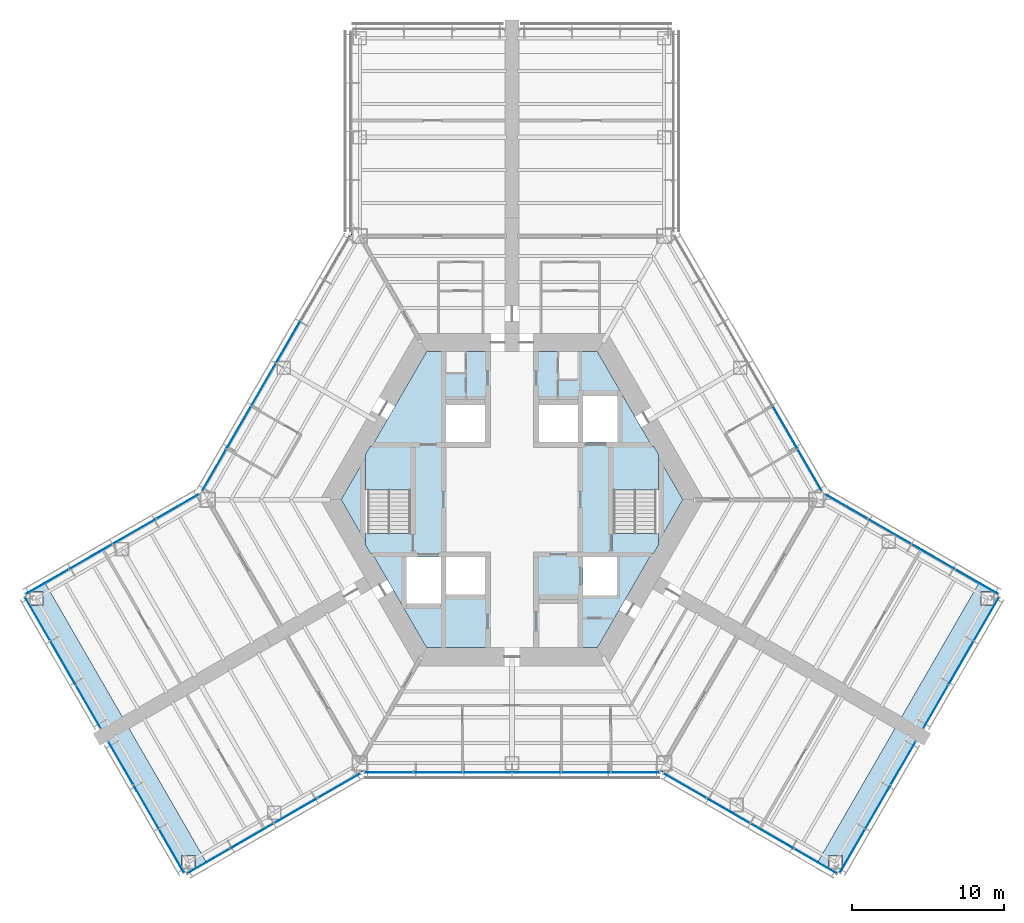
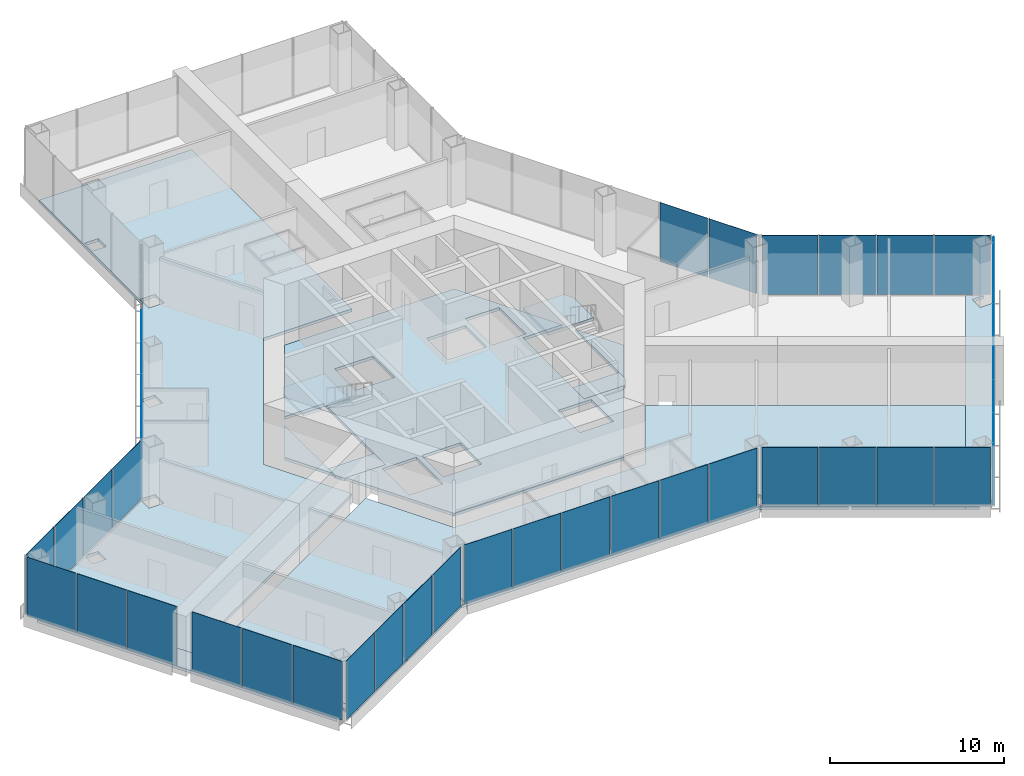
# One storey, part 9 of 16: 40 plates, 11 slabs, 13 elements without a shape of their own.
"""IFC4 building model written with IfcOpenShell, lengths in metres."""

from ifc_helpers import new_model, si_unit, direction, frame, origin, origin_2d, place, context, subcontext, project, spatial, polyline, rectangle, outline, extrude, material, layer, layer_set, type_object, element, aggregate, save


model = new_model("IFC4")

# Units and contexts
model_context = context("Model", 3, precision=1e-05, world=origin(), true_north=direction((0.0, 1.0)))
body_context = subcontext(model_context, "Body", "Model", "MODEL_VIEW")
ifc_project = project(units=[si_unit("LENGTHUNIT", "METRE"), si_unit("AREAUNIT", "SQUARE_METRE"), si_unit("VOLUMEUNIT", "CUBIC_METRE"), si_unit("PLANEANGLEUNIT", "RADIAN"), si_unit("MASSUNIT", "GRAM", prefix="KILO")], contexts=[model_context])

# Site, building, storey
site_placement = place(None, origin())
site = spatial("IfcSite", under=ifc_project, at=site_placement, CompositionType="ELEMENT")
building_placement = place(site_placement, origin())
building = spatial("IfcBuilding", under=site, at=building_placement, Name="Kasaneha Research Tower", CompositionType="ELEMENT")
storey_placement = place(building_placement, frame((0.0, 0.0, 22.60009765625)))
storey = spatial("IfcBuildingStorey", under=building, at=storey_placement, Name="L06", CompositionType="ELEMENT", Elevation=22.60009765625)

# Curtain wall, plates
ifc_material_1 = material(Name="Glass and aluminium", Category="aluminium")
curtain_wall_type = type_object("IfcCurtainWallType", Name="Wet laboratory curtain wall", PredefinedType="USERDEFINED", material=ifc_material_1)
curtain_wall_1_placement = place(storey_placement, origin())
curtain_wall_1 = element("IfcCurtainWall", 1, at=curtain_wall_1_placement, inside=storey, type_object=curtain_wall_type, Name="CW-L1 L06 run 01a", ObjectType="UNITISED CURTAIN WALL", PredefinedType="USERDEFINED")
ifc_material_2 = material(Name="Laminated double glazing", Category="glass")
ifc_layer_1 = layer(ifc_material_2, 0.030029296875)
ifc_layer_set_1 = layer_set([ifc_layer_1], Name="CW-L1 glazed panel")
plate_type = type_object("IfcPlateType", Name="CW-L1 glazed panel", PredefinedType="CURTAIN_PANEL", material=ifc_layer_set_1)
plate_1_placement = place(storey_placement, frame((-19.944091796875, -23.754638671875, 0.06494140625), z_axis=(0.0, 0.0, 1.0), x_axis=(0.866025411464, 0.499999986699, 0.0)))
plate_1 = element("IfcPlate", 2, at=plate_1_placement, type_object=plate_type, Name="CW-L1 panel 1", PredefinedType="CURTAIN_PANEL", context=body_context, shape_type="SweptSolid", body=[
    extrude(rectangle(XDim=3.21240234375, YDim=0.030029296875, at=origin_2d()), origin(), (0.0, 0.0, 1.0), 4.135009765625),
])
plate_2_placement = place(storey_placement, frame((-17.091796875, -22.107666015625, 0.06494140625), z_axis=(0.0, 0.0, 1.0), x_axis=(0.866025411464, 0.499999986699, 0.0)))
plate_2 = element("IfcPlate", 3, at=plate_2_placement, type_object=plate_type, Name="CW-L1 panel 2", PredefinedType="CURTAIN_PANEL", context=body_context, shape_type="SweptSolid", body=[
    extrude(rectangle(XDim=3.244873046875, YDim=0.030029296875, at=origin_2d()), origin(), (0.0, 0.0, 1.0), 4.135009765625),
])
plate_3_placement = place(storey_placement, frame((-14.225341796875, -20.452880859375, 0.06494140625), z_axis=(0.0, 0.0, 1.0), x_axis=(0.866025411464, 0.499999986699, 0.0)))
plate_3 = element("IfcPlate", 4, at=plate_3_placement, type_object=plate_type, Name="CW-L1 panel 3", PredefinedType="CURTAIN_PANEL", context=body_context, shape_type="SweptSolid", body=[
    extrude(rectangle(XDim=3.244873046875, YDim=0.030029296875, at=origin_2d()), origin(), (0.0, 0.0, 1.0), 4.135009765625),
])
plate_4_placement = place(storey_placement, frame((-11.373046875, -18.80615234375, 0.06494140625), z_axis=(0.0, 0.0, 1.0), x_axis=(0.866025411464, 0.499999986699, 0.0)))
plate_4 = element("IfcPlate", 5, at=plate_4_placement, type_object=plate_type, Name="CW-L1 panel 4", PredefinedType="CURTAIN_PANEL", context=body_context, shape_type="SweptSolid", body=[
    extrude(rectangle(XDim=3.21240234375, YDim=0.030029296875, at=origin_2d()), origin(), (0.0, 0.0, 1.0), 4.135009765625),
])
aggregate(curtain_wall_1, [plate_1, plate_2, plate_3, plate_4])

curtain_wall_2_placement = place(storey_placement, origin())
curtain_wall_2 = element("IfcCurtainWall", 6, at=curtain_wall_2_placement, inside=storey, type_object=curtain_wall_type, Name="CW-L1 L06 run 02a", ObjectType="UNITISED CURTAIN WALL", PredefinedType="USERDEFINED")
plate_5_placement = place(storey_placement, frame((-8.099853515625, -17.92041015625, 0.06494140625), z_axis=(0.0, 0.0, 1.0), x_axis=(1.0, 0.0, 0.0)))
plate_5 = element("IfcPlate", 7, at=plate_5_placement, type_object=plate_type, Name="CW-L1 panel 1", PredefinedType="CURTAIN_PANEL", context=body_context, shape_type="SweptSolid", body=[
    extrude(rectangle(XDim=3.14892578125, YDim=0.030029296875, at=origin_2d()), origin(), (0.0, 0.0, 1.0), 4.135009765625),
])
plate_6_placement = place(storey_placement, frame((-4.86962890625, -17.92041015625, 0.06494140625), z_axis=(0.0, 0.0, 1.0), x_axis=(1.0, 0.0, 0.0)))
plate_6 = element("IfcPlate", 8, at=plate_6_placement, type_object=plate_type, Name="CW-L1 panel 2", PredefinedType="CURTAIN_PANEL", context=body_context, shape_type="SweptSolid", body=[
    extrude(rectangle(XDim=3.181396484375, YDim=0.030029296875, at=origin_2d()), origin(), (0.0, 0.0, 1.0), 4.135009765625),
])
plate_7_placement = place(storey_placement, frame((-1.623291015625, -17.92041015625, 0.06494140625), z_axis=(0.0, 0.0, 1.0), x_axis=(1.0, 0.0, 0.0)))
plate_7 = element("IfcPlate", 9, at=plate_7_placement, type_object=plate_type, Name="CW-L1 panel 3", PredefinedType="CURTAIN_PANEL", context=body_context, shape_type="SweptSolid", body=[
    extrude(rectangle(XDim=3.181396484375, YDim=0.030029296875, at=origin_2d()), origin(), (0.0, 0.0, 1.0), 4.135009765625),
])
plate_8_placement = place(storey_placement, frame((1.623291015625, -17.92041015625, 0.06494140625), z_axis=(0.0, 0.0, 1.0), x_axis=(1.0, 0.0, 0.0)))
plate_8 = element("IfcPlate", 10, at=plate_8_placement, type_object=plate_type, Name="CW-L1 panel 4", PredefinedType="CURTAIN_PANEL", context=body_context, shape_type="SweptSolid", body=[
    extrude(rectangle(XDim=3.181396484375, YDim=0.030029296875, at=origin_2d()), origin(), (0.0, 0.0, 1.0), 4.135009765625),
])
plate_9_placement = place(storey_placement, frame((4.86962890625, -17.92041015625, 0.06494140625), z_axis=(0.0, 0.0, 1.0), x_axis=(1.0, 0.0, 0.0)))
plate_9 = element("IfcPlate", 11, at=plate_9_placement, type_object=plate_type, Name="CW-L1 panel 5", PredefinedType="CURTAIN_PANEL", context=body_context, shape_type="SweptSolid", body=[
    extrude(rectangle(XDim=3.181396484375, YDim=0.030029296875, at=origin_2d()), origin(), (0.0, 0.0, 1.0), 4.135009765625),
])
plate_10_placement = place(storey_placement, frame((8.099853515625, -17.92041015625, 0.06494140625), z_axis=(0.0, 0.0, 1.0), x_axis=(1.0, 0.0, 0.0)))
plate_10 = element("IfcPlate", 12, at=plate_10_placement, type_object=plate_type, Name="CW-L1 panel 6", PredefinedType="CURTAIN_PANEL", context=body_context, shape_type="SweptSolid", body=[
    extrude(rectangle(XDim=3.14892578125, YDim=0.030029296875, at=origin_2d()), origin(), (0.0, 0.0, 1.0), 4.135009765625),
])
aggregate(curtain_wall_2, [plate_5, plate_6, plate_7, plate_8, plate_9, plate_10])

curtain_wall_3_placement = place(storey_placement, origin())
curtain_wall_3 = element("IfcCurtainWall", 13, at=curtain_wall_3_placement, inside=storey, type_object=curtain_wall_type, Name="CW-L1 L06 run 03a", ObjectType="UNITISED CURTAIN WALL", PredefinedType="USERDEFINED")
plate_11_placement = place(storey_placement, frame((11.373046875, -18.80615234375, 0.06494140625), z_axis=(0.0, 0.0, 1.0), x_axis=(0.866025411464, -0.499999986699, 0.0)))
plate_11 = element("IfcPlate", 14, at=plate_11_placement, type_object=plate_type, Name="CW-L1 panel 1", PredefinedType="CURTAIN_PANEL", context=body_context, shape_type="SweptSolid", body=[
    extrude(rectangle(XDim=3.21240234375, YDim=0.030029296875, at=origin_2d()), origin(), (0.0, 0.0, 1.0), 4.135009765625),
])
plate_12_placement = place(storey_placement, frame((14.225341796875, -20.452880859375, 0.06494140625), z_axis=(0.0, 0.0, 1.0), x_axis=(0.866025411464, -0.499999986699, 0.0)))
plate_12 = element("IfcPlate", 15, at=plate_12_placement, type_object=plate_type, Name="CW-L1 panel 2", PredefinedType="CURTAIN_PANEL", context=body_context, shape_type="SweptSolid", body=[
    extrude(rectangle(XDim=3.244873046875, YDim=0.030029296875, at=origin_2d()), origin(), (0.0, 0.0, 1.0), 4.135009765625),
])
plate_13_placement = place(storey_placement, frame((17.091796875, -22.107666015625, 0.06494140625), z_axis=(0.0, 0.0, 1.0), x_axis=(0.866025411464, -0.499999986699, 0.0)))
plate_13 = element("IfcPlate", 16, at=plate_13_placement, type_object=plate_type, Name="CW-L1 panel 3", PredefinedType="CURTAIN_PANEL", context=body_context, shape_type="SweptSolid", body=[
    extrude(rectangle(XDim=3.244873046875, YDim=0.030029296875, at=origin_2d()), origin(), (0.0, 0.0, 1.0), 4.135009765625),
])
plate_14_placement = place(storey_placement, frame((19.944091796875, -23.754638671875, 0.06494140625), z_axis=(0.0, 0.0, 1.0), x_axis=(0.866025411464, -0.499999986699, 0.0)))
plate_14 = element("IfcPlate", 17, at=plate_14_placement, type_object=plate_type, Name="CW-L1 panel 4", PredefinedType="CURTAIN_PANEL", context=body_context, shape_type="SweptSolid", body=[
    extrude(rectangle(XDim=3.21240234375, YDim=0.030029296875, at=origin_2d()), origin(), (0.0, 0.0, 1.0), 4.135009765625),
])
aggregate(curtain_wall_3, [plate_11, plate_12, plate_13, plate_14])

curtain_wall_4_placement = place(storey_placement, origin())
curtain_wall_4 = element("IfcCurtainWall", 18, at=curtain_wall_4_placement, inside=storey, type_object=curtain_wall_type, Name="CW-L1 L06 run 04a", ObjectType="UNITISED CURTAIN WALL", PredefinedType="USERDEFINED")
plate_15_placement = place(storey_placement, frame((22.37353515625, -23.0888671875, 0.06494140625), z_axis=(0.0, 0.0, 1.0), x_axis=(0.500000011442, 0.866025397178, 0.0)))
plate_15 = element("IfcPlate", 19, at=plate_15_placement, type_object=plate_type, Name="CW-L1 panel 1", PredefinedType="CURTAIN_PANEL", context=body_context, shape_type="SweptSolid", body=[
    extrude(rectangle(XDim=3.25244140625, YDim=0.030029296875, at=origin_2d()), origin(), (0.0, 0.0, 1.0), 4.135009765625),
])
plate_16_placement = place(storey_placement, frame((24.04052734375, -20.20166015625, 0.06494140625), z_axis=(0.0, 0.0, 1.0), x_axis=(0.500000011442, 0.866025397178, 0.0)))
plate_16 = element("IfcPlate", 20, at=plate_16_placement, type_object=plate_type, Name="CW-L1 panel 2", PredefinedType="CURTAIN_PANEL", context=body_context, shape_type="SweptSolid", body=[
    extrude(rectangle(XDim=3.284912109375, YDim=0.030029296875, at=origin_2d()), origin(), (0.0, 0.0, 1.0), 4.135009765625),
])
plate_17_placement = place(storey_placement, frame((25.707275390625, -17.314697265625, 0.06494140625), z_axis=(0.0, 0.0, 1.0), x_axis=(0.500000011442, 0.866025397178, 0.0)))
plate_17 = element("IfcPlate", 21, at=plate_17_placement, type_object=plate_type, Name="CW-L1 panel 3", PredefinedType="CURTAIN_PANEL", context=body_context, shape_type="SweptSolid", body=[
    extrude(rectangle(XDim=3.25244140625, YDim=0.030029296875, at=origin_2d()), origin(), (0.0, 0.0, 1.0), 4.135009765625),
])
aggregate(curtain_wall_4, [plate_15, plate_16, plate_17])

curtain_wall_5_placement = place(storey_placement, origin())
curtain_wall_5 = element("IfcCurtainWall", 22, at=curtain_wall_5_placement, inside=storey, type_object=curtain_wall_type, Name="CW-L1 L06 run 05a", ObjectType="UNITISED CURTAIN WALL", PredefinedType="USERDEFINED")
plate_18_placement = place(storey_placement, frame((27.8486328125, -13.60595703125, 0.06494140625), z_axis=(0.0, 0.0, 1.0), x_axis=(0.500000011442, 0.866025397178, 0.0)))
plate_18 = element("IfcPlate", 23, at=plate_18_placement, type_object=plate_type, Name="CW-L1 panel 1", PredefinedType="CURTAIN_PANEL", context=body_context, shape_type="SweptSolid", body=[
    extrude(rectangle(XDim=3.25244140625, YDim=0.030029296875, at=origin_2d()), origin(), (0.0, 0.0, 1.0), 4.135009765625),
])
plate_19_placement = place(storey_placement, frame((29.515380859375, -10.71875, 0.06494140625), z_axis=(0.0, 0.0, 1.0), x_axis=(0.500000011442, 0.866025397178, 0.0)))
plate_19 = element("IfcPlate", 24, at=plate_19_placement, type_object=plate_type, Name="CW-L1 panel 2", PredefinedType="CURTAIN_PANEL", context=body_context, shape_type="SweptSolid", body=[
    extrude(rectangle(XDim=3.284912109375, YDim=0.030029296875, at=origin_2d()), origin(), (0.0, 0.0, 1.0), 4.135009765625),
])
plate_20_placement = place(storey_placement, frame((31.182373046875, -7.83154296875, 0.06494140625), z_axis=(0.0, 0.0, 1.0), x_axis=(0.500000011442, 0.866025397178, 0.0)))
plate_20 = element("IfcPlate", 25, at=plate_20_placement, type_object=plate_type, Name="CW-L1 panel 3", PredefinedType="CURTAIN_PANEL", context=body_context, shape_type="SweptSolid", body=[
    extrude(rectangle(XDim=3.25244140625, YDim=0.030029296875, at=origin_2d()), origin(), (0.0, 0.0, 1.0), 4.135009765625),
])
aggregate(curtain_wall_5, [plate_18, plate_19, plate_20])

curtain_wall_6_placement = place(storey_placement, origin())
curtain_wall_6 = element("IfcCurtainWall", 26, at=curtain_wall_6_placement, inside=storey, type_object=curtain_wall_type, Name="CW-L1 L06 run 06a", ObjectType="UNITISED CURTAIN WALL", PredefinedType="USERDEFINED")
plate_21_placement = place(storey_placement, frame((30.544189453125, -5.394775390625, 0.06494140625), z_axis=(0.0, 0.0, 1.0), x_axis=(-0.866025411464, 0.499999986699, 0.0)))
plate_21 = element("IfcPlate", 27, at=plate_21_placement, type_object=plate_type, Name="CW-L1 panel 1", PredefinedType="CURTAIN_PANEL", context=body_context, shape_type="SweptSolid", body=[
    extrude(rectangle(XDim=3.21240234375, YDim=0.030029296875, at=origin_2d()), origin(), (0.0, 0.0, 1.0), 4.135009765625),
])
plate_22_placement = place(storey_placement, frame((27.69189453125, -3.748046875, 0.06494140625), z_axis=(0.0, 0.0, 1.0), x_axis=(-0.866025411464, 0.499999986699, 0.0)))
plate_22 = element("IfcPlate", 28, at=plate_22_placement, type_object=plate_type, Name="CW-L1 panel 2", PredefinedType="CURTAIN_PANEL", context=body_context, shape_type="SweptSolid", body=[
    extrude(rectangle(XDim=3.244873046875, YDim=0.030029296875, at=origin_2d()), origin(), (0.0, 0.0, 1.0), 4.135009765625),
])
plate_23_placement = place(storey_placement, frame((24.825439453125, -2.093017578125, 0.06494140625), z_axis=(0.0, 0.0, 1.0), x_axis=(-0.866025411464, 0.499999986699, 0.0)))
plate_23 = element("IfcPlate", 29, at=plate_23_placement, type_object=plate_type, Name="CW-L1 panel 3", PredefinedType="CURTAIN_PANEL", context=body_context, shape_type="SweptSolid", body=[
    extrude(rectangle(XDim=3.244873046875, YDim=0.030029296875, at=origin_2d()), origin(), (0.0, 0.0, 1.0), 4.135009765625),
])
plate_24_placement = place(storey_placement, frame((21.97314453125, -0.4462890625, 0.06494140625), z_axis=(0.0, 0.0, 1.0), x_axis=(-0.866025411464, 0.499999986699, 0.0)))
plate_24 = element("IfcPlate", 30, at=plate_24_placement, type_object=plate_type, Name="CW-L1 panel 4", PredefinedType="CURTAIN_PANEL", context=body_context, shape_type="SweptSolid", body=[
    extrude(rectangle(XDim=3.21240234375, YDim=0.030029296875, at=origin_2d()), origin(), (0.0, 0.0, 1.0), 4.135009765625),
])
aggregate(curtain_wall_6, [plate_21, plate_22, plate_23, plate_24])

curtain_wall_7_placement = place(storey_placement, origin())
curtain_wall_7 = element("IfcCurtainWall", 31, at=curtain_wall_7_placement, inside=storey, type_object=curtain_wall_type, Name="CW-L1 L06 run 07a", ObjectType="UNITISED CURTAIN WALL", PredefinedType="USERDEFINED")
plate_25_placement = place(storey_placement, frame((19.569580078125, 1.945556640625, 0.06494140625), z_axis=(0.0, 0.0, 1.0), x_axis=(-0.49999996188, 0.866025425793, 0.0)))
plate_25 = element("IfcPlate", 32, at=plate_25_placement, type_object=plate_type, Name="CW-L1 panel 1", PredefinedType="CURTAIN_PANEL", context=body_context, shape_type="SweptSolid", body=[
    extrude(rectangle(XDim=3.14892578125, YDim=0.030029296875, at=origin_2d()), origin(), (0.0, 0.0, 1.0), 4.135009765625),
])
plate_26_placement = place(storey_placement, frame((17.954345703125, 4.7431640625, 0.06494140625), z_axis=(0.0, 0.0, 1.0), x_axis=(-0.49999996188, 0.866025425793, 0.0)))
plate_26 = element("IfcPlate", 33, at=plate_26_placement, type_object=plate_type, Name="CW-L1 panel 2", PredefinedType="CURTAIN_PANEL", context=body_context, shape_type="SweptSolid", body=[
    extrude(rectangle(XDim=3.181396484375, YDim=0.030029296875, at=origin_2d()), origin(), (0.0, 0.0, 1.0), 4.135009765625),
])
aggregate(curtain_wall_7, [plate_25, plate_26])

curtain_wall_8_placement = place(storey_placement, origin())
curtain_wall_8 = element("IfcCurtainWall", 34, at=curtain_wall_8_placement, inside=storey, type_object=curtain_wall_type, Name="CW-L1 L06 run 12a", ObjectType="UNITISED CURTAIN WALL", PredefinedType="USERDEFINED")
plate_27_placement = place(storey_placement, frame((-14.7080078125, 10.365966796875, 0.06494140625), z_axis=(0.0, 0.0, 1.0), x_axis=(-0.49999996188, -0.866025425793, 0.0)))
plate_27 = element("IfcPlate", 35, at=plate_27_placement, type_object=plate_type, Name="CW-L1 panel 3", PredefinedType="CURTAIN_PANEL", context=body_context, shape_type="SweptSolid", body=[
    extrude(rectangle(XDim=3.181396484375, YDim=0.030029296875, at=origin_2d()), origin(), (0.0, 0.0, 1.0), 4.135009765625),
])
plate_28_placement = place(storey_placement, frame((-16.331298828125, 7.554443359375, 0.06494140625), z_axis=(0.0, 0.0, 1.0), x_axis=(-0.49999996188, -0.866025425793, 0.0)))
plate_28 = element("IfcPlate", 36, at=plate_28_placement, type_object=plate_type, Name="CW-L1 panel 4", PredefinedType="CURTAIN_PANEL", context=body_context, shape_type="SweptSolid", body=[
    extrude(rectangle(XDim=3.181396484375, YDim=0.030029296875, at=origin_2d()), origin(), (0.0, 0.0, 1.0), 4.135009765625),
])
plate_29_placement = place(storey_placement, frame((-17.954345703125, 4.7431640625, 0.06494140625), z_axis=(0.0, 0.0, 1.0), x_axis=(-0.49999996188, -0.866025425793, 0.0)))
plate_29 = element("IfcPlate", 37, at=plate_29_placement, type_object=plate_type, Name="CW-L1 panel 5", PredefinedType="CURTAIN_PANEL", context=body_context, shape_type="SweptSolid", body=[
    extrude(rectangle(XDim=3.181396484375, YDim=0.030029296875, at=origin_2d()), origin(), (0.0, 0.0, 1.0), 4.135009765625),
])
plate_30_placement = place(storey_placement, frame((-19.569580078125, 1.945556640625, 0.06494140625), z_axis=(0.0, 0.0, 1.0), x_axis=(-0.49999996188, -0.866025425793, 0.0)))
plate_30 = element("IfcPlate", 38, at=plate_30_placement, type_object=plate_type, Name="CW-L1 panel 6", PredefinedType="CURTAIN_PANEL", context=body_context, shape_type="SweptSolid", body=[
    extrude(rectangle(XDim=3.14892578125, YDim=0.030029296875, at=origin_2d()), origin(), (0.0, 0.0, 1.0), 4.135009765625),
])
aggregate(curtain_wall_8, [plate_27, plate_28, plate_29, plate_30])

curtain_wall_9_placement = place(storey_placement, origin())
curtain_wall_9 = element("IfcCurtainWall", 39, at=curtain_wall_9_placement, inside=storey, type_object=curtain_wall_type, Name="CW-L1 L06 run 13a", ObjectType="UNITISED CURTAIN WALL", PredefinedType="USERDEFINED")
plate_31_placement = place(storey_placement, frame((-21.97314453125, -0.4462890625, 0.06494140625), z_axis=(0.0, 0.0, 1.0), x_axis=(-0.866025411464, -0.499999986699, 0.0)))
plate_31 = element("IfcPlate", 40, at=plate_31_placement, type_object=plate_type, Name="CW-L1 panel 1", PredefinedType="CURTAIN_PANEL", context=body_context, shape_type="SweptSolid", body=[
    extrude(rectangle(XDim=3.21240234375, YDim=0.030029296875, at=origin_2d()), origin(), (0.0, 0.0, 1.0), 4.135009765625),
])
plate_32_placement = place(storey_placement, frame((-24.825439453125, -2.093017578125, 0.06494140625), z_axis=(0.0, 0.0, 1.0), x_axis=(-0.866025411464, -0.499999986699, 0.0)))
plate_32 = element("IfcPlate", 41, at=plate_32_placement, type_object=plate_type, Name="CW-L1 panel 2", PredefinedType="CURTAIN_PANEL", context=body_context, shape_type="SweptSolid", body=[
    extrude(rectangle(XDim=3.244873046875, YDim=0.030029296875, at=origin_2d()), origin(), (0.0, 0.0, 1.0), 4.135009765625),
])
plate_33_placement = place(storey_placement, frame((-27.69189453125, -3.748046875, 0.06494140625), z_axis=(0.0, 0.0, 1.0), x_axis=(-0.866025411464, -0.499999986699, 0.0)))
plate_33 = element("IfcPlate", 42, at=plate_33_placement, type_object=plate_type, Name="CW-L1 panel 3", PredefinedType="CURTAIN_PANEL", context=body_context, shape_type="SweptSolid", body=[
    extrude(rectangle(XDim=3.244873046875, YDim=0.030029296875, at=origin_2d()), origin(), (0.0, 0.0, 1.0), 4.135009765625),
])
plate_34_placement = place(storey_placement, frame((-30.544189453125, -5.394775390625, 0.06494140625), z_axis=(0.0, 0.0, 1.0), x_axis=(-0.866025411464, -0.499999986699, 0.0)))
plate_34 = element("IfcPlate", 43, at=plate_34_placement, type_object=plate_type, Name="CW-L1 panel 4", PredefinedType="CURTAIN_PANEL", context=body_context, shape_type="SweptSolid", body=[
    extrude(rectangle(XDim=3.21240234375, YDim=0.030029296875, at=origin_2d()), origin(), (0.0, 0.0, 1.0), 4.135009765625),
])
aggregate(curtain_wall_9, [plate_31, plate_32, plate_33, plate_34])

curtain_wall_10_placement = place(storey_placement, origin())
curtain_wall_10 = element("IfcCurtainWall", 44, at=curtain_wall_10_placement, inside=storey, type_object=curtain_wall_type, Name="CW-L1 L06 run 14a", ObjectType="UNITISED CURTAIN WALL", PredefinedType="USERDEFINED")
plate_35_placement = place(storey_placement, frame((-31.182373046875, -7.83154296875, 0.06494140625), z_axis=(0.0, 0.0, 1.0), x_axis=(0.500000011442, -0.866025397178, 0.0)))
plate_35 = element("IfcPlate", 45, at=plate_35_placement, type_object=plate_type, Name="CW-L1 panel 1", PredefinedType="CURTAIN_PANEL", context=body_context, shape_type="SweptSolid", body=[
    extrude(rectangle(XDim=3.25244140625, YDim=0.030029296875, at=origin_2d()), origin(), (0.0, 0.0, 1.0), 4.135009765625),
])
plate_36_placement = place(storey_placement, frame((-29.515380859375, -10.71875, 0.06494140625), z_axis=(0.0, 0.0, 1.0), x_axis=(0.500000011442, -0.866025397178, 0.0)))
plate_36 = element("IfcPlate", 46, at=plate_36_placement, type_object=plate_type, Name="CW-L1 panel 2", PredefinedType="CURTAIN_PANEL", context=body_context, shape_type="SweptSolid", body=[
    extrude(rectangle(XDim=3.284912109375, YDim=0.030029296875, at=origin_2d()), origin(), (0.0, 0.0, 1.0), 4.135009765625),
])
plate_37_placement = place(storey_placement, frame((-27.8486328125, -13.60595703125, 0.06494140625), z_axis=(0.0, 0.0, 1.0), x_axis=(0.500000011442, -0.866025397178, 0.0)))
plate_37 = element("IfcPlate", 47, at=plate_37_placement, type_object=plate_type, Name="CW-L1 panel 3", PredefinedType="CURTAIN_PANEL", context=body_context, shape_type="SweptSolid", body=[
    extrude(rectangle(XDim=3.25244140625, YDim=0.030029296875, at=origin_2d()), origin(), (0.0, 0.0, 1.0), 4.135009765625),
])
aggregate(curtain_wall_10, [plate_35, plate_36, plate_37])

curtain_wall_11_placement = place(storey_placement, origin())
curtain_wall_11 = element("IfcCurtainWall", 48, at=curtain_wall_11_placement, inside=storey, type_object=curtain_wall_type, Name="CW-L1 L06 run 15a", ObjectType="UNITISED CURTAIN WALL", PredefinedType="USERDEFINED")
plate_38_placement = place(storey_placement, frame((-25.707275390625, -17.314697265625, 0.06494140625), z_axis=(0.0, 0.0, 1.0), x_axis=(0.500000011442, -0.866025397178, 0.0)))
plate_38 = element("IfcPlate", 49, at=plate_38_placement, type_object=plate_type, Name="CW-L1 panel 1", PredefinedType="CURTAIN_PANEL", context=body_context, shape_type="SweptSolid", body=[
    extrude(rectangle(XDim=3.25244140625, YDim=0.030029296875, at=origin_2d()), origin(), (0.0, 0.0, 1.0), 4.135009765625),
])
plate_39_placement = place(storey_placement, frame((-24.04052734375, -20.20166015625, 0.06494140625), z_axis=(0.0, 0.0, 1.0), x_axis=(0.500000011442, -0.866025397178, 0.0)))
plate_39 = element("IfcPlate", 50, at=plate_39_placement, type_object=plate_type, Name="CW-L1 panel 2", PredefinedType="CURTAIN_PANEL", context=body_context, shape_type="SweptSolid", body=[
    extrude(rectangle(XDim=3.284912109375, YDim=0.030029296875, at=origin_2d()), origin(), (0.0, 0.0, 1.0), 4.135009765625),
])
plate_40_placement = place(storey_placement, frame((-22.37353515625, -23.0888671875, 0.06494140625), z_axis=(0.0, 0.0, 1.0), x_axis=(0.500000011442, -0.866025397178, 0.0)))
plate_40 = element("IfcPlate", 51, at=plate_40_placement, type_object=plate_type, Name="CW-L1 panel 3", PredefinedType="CURTAIN_PANEL", context=body_context, shape_type="SweptSolid", body=[
    extrude(rectangle(XDim=3.25244140625, YDim=0.030029296875, at=origin_2d()), origin(), (0.0, 0.0, 1.0), 4.135009765625),
])
aggregate(curtain_wall_11, [plate_38, plate_39, plate_40])

# Slabs
ifc_material_3 = material(Name="Concrete Fc24", Category="concrete")
ifc_layer_2 = layer(ifc_material_3, 0.199951171875)
ifc_layer_set_2 = layer_set([ifc_layer_2], Name="Core floor slab 200")
slab_type_1 = type_object("IfcSlabType", Name="Core floor slab 200", PredefinedType="FLOOR", material=ifc_layer_set_2)
slab_1_placement = place(storey_placement, frame((0.0, 0.0, -0.2001953125)))
element("IfcSlab", 52, at=slab_1_placement, inside=storey, type_object=slab_type_1, Name="Core slab L06", PredefinedType="FLOOR", context=body_context, shape_type="SweptSolid", body=[
    extrude(outline(polyline([(-11.2294921875, 0.0), (-9.625, 2.779052734375), (-9.625, -2.779052734375), (-11.2294921875, 0.0)])), origin(), (0.0, 0.0, 1.0), 0.2001953125),
])
slab_2_placement = place(storey_placement, frame((0.0, 0.0, -0.2001953125)))
element("IfcSlab", 53, at=slab_2_placement, inside=storey, type_object=slab_type_1, Name="Core slab L06", PredefinedType="FLOOR", context=body_context, shape_type="SweptSolid", body=[
    extrude(outline(polyline([(-5.61474609375, 9.72509765625), (5.61474609375, 9.72509765625), (9.1943359375, 3.52490234375), (6.574951171875, 3.52490234375), (6.574951171875, -3.52490234375), (9.1943359375, -3.52490234375), (5.61474609375, -9.72509765625), (-5.61474609375, -9.72509765625), (-9.1943359375, -3.52490234375), (-6.574951171875, -3.52490234375), (-6.574951171875, 3.52490234375), (-9.1943359375, 3.52490234375), (-5.61474609375, 9.72509765625)]), holes=[polyline([(-6.925048828125, -3.77490234375), (-6.925048828125, -6.824951171875), (-4.675048828125, -6.824951171875), (-4.675048828125, -3.77490234375), (-6.925048828125, -3.77490234375)]), polyline([(4.675048828125, -3.77490234375), (4.675048828125, -6.300048828125), (6.89990234375, -6.300048828125), (6.89990234375, -3.77490234375), (4.675048828125, -3.77490234375)]), polyline([(-4.324951171875, -3.77490234375), (-4.324951171875, -6.22509765625), (-1.77490234375, -6.22509765625), (-1.77490234375, -3.77490234375), (-4.324951171875, -3.77490234375)]), polyline([(-4.324951171875, 6.22509765625), (-4.324951171875, 3.77490234375), (-1.77490234375, 3.77490234375), (-1.77490234375, 6.22509765625), (-4.324951171875, 6.22509765625)]), polyline([(1.77490234375, 6.22509765625), (1.77490234375, 3.77490234375), (4.324951171875, 3.77490234375), (4.324951171875, 6.22509765625), (1.77490234375, 6.22509765625)]), polyline([(4.675048828125, 6.824951171875), (4.675048828125, 3.77490234375), (6.925048828125, 3.77490234375), (6.925048828125, 6.824951171875), (4.675048828125, 6.824951171875)])]), origin(), (0.0, 0.0, 1.0), 0.2001953125),
])
slab_3_placement = place(storey_placement, frame((0.0, 0.0, -0.2001953125)))
element("IfcSlab", 54, at=slab_3_placement, inside=storey, type_object=slab_type_1, Name="Core slab L06", PredefinedType="FLOOR", context=body_context, shape_type="SweptSolid", body=[
    extrude(outline(polyline([(11.2294921875, 0.0), (9.625, -2.779052734375), (9.625, 2.779052734375), (11.2294921875, 0.0)])), origin(), (0.0, 0.0, 1.0), 0.2001953125),
])
ifc_material_4 = material(Name="Concrete Fc24", Category="concrete")
ifc_layer_3 = layer(ifc_material_4, 0.199951171875)
ifc_layer_set_3 = layer_set([ifc_layer_3], Name="Floor slab 200")
slab_type_2 = type_object("IfcSlabType", Name="Floor slab 200", PredefinedType="FLOOR", material=ifc_layer_set_3)
slab_4_placement = place(storey_placement, frame((0.0, 0.0, -0.2001953125)))
element("IfcSlab", 55, at=slab_4_placement, inside=storey, type_object=slab_type_2, Name="Floor slab L06 1", PredefinedType="FLOOR", context=body_context, shape_type="SweptSolid", body=[
    extrude(outline(polyline([(-25.167236328125, -15.050048828125), (-25.15869140625, -15.044921875), (-20.108642578125, -23.791748046875), (-20.808349609375, -24.19580078125), (-20.808349609375, -23.37060546875), (-21.708251953125, -23.37060546875), (-21.708251953125, -24.14111328125), (-31.633544921875, -6.949951171875), (-30.808349609375, -6.949951171875), (-30.808349609375, -6.050048828125), (-31.578857421875, -6.050048828125), (-30.65869140625, -5.518798828125), (-25.608642578125, -14.265625), (-25.6171875, -14.2705078125), (-25.167236328125, -15.050048828125)])), origin(), (0.0, 0.0, 1.0), 0.2001953125),
])
slab_5_placement = place(storey_placement, frame((0.0, 0.0, -0.2001953125)))
element("IfcSlab", 56, at=slab_5_placement, inside=storey, type_object=slab_type_2, Name="Floor slab L06 2", PredefinedType="FLOOR", context=body_context, shape_type="SweptSolid", body=[
    extrude(outline(polyline([(-25.17919921875, -2.800048828125), (-25.94970703125, -2.800048828125), (-20.5, 0.346435546875), (-20.5, -0.5), (-19.5, -0.5), (-19.5, 0.5), (-20.346435546875, 0.5), (-15.449951171875, 8.980712890625), (-15.449951171875, 8.210205078125), (-14.550048828125, 8.210205078125), (-14.550048828125, 9.1103515625), (-15.375244140625, 9.1103515625), (-10.550048828125, 17.4677734375), (-10.550048828125, 29.310546875), (-0.449951171875, 29.310546875), (-0.449951171875, 10.925048828125), (-6.3076171875, 10.925048828125), (-12.614990234375, 0.0), (-9.686279296875, -5.07275390625), (-25.608642578125, -14.265625), (-30.65869140625, -5.518798828125), (-26.0791015625, -2.874755859375), (-26.0791015625, -3.699951171875), (-25.17919921875, -3.699951171875), (-25.17919921875, -2.800048828125)]), holes=[polyline([(-9.5, 16.820556640625), (-9.5, 17.820556640625), (-10.5, 17.820556640625), (-10.5, 16.820556640625), (-9.5, 16.820556640625)]), polyline([(-10.449951171875, 23.37060546875), (-9.550048828125, 23.37060546875), (-9.550048828125, 24.2705078125), (-10.449951171875, 24.2705078125), (-10.449951171875, 23.37060546875)])]), origin(), (0.0, 0.0, 1.0), 0.2001953125),
])
slab_6_placement = place(storey_placement, frame((0.0, 0.0, -0.2001953125)))
element("IfcSlab", 57, at=slab_6_placement, inside=storey, type_object=slab_type_2, Name="Floor slab L06 4", PredefinedType="FLOOR", context=body_context, shape_type="SweptSolid", body=[
    extrude(outline(polyline([(-6.3076171875, -10.925048828125), (6.3076171875, -10.925048828125), (9.236328125, -5.852294921875), (25.15869140625, -15.044921875), (20.108642578125, -23.791748046875), (14.442626953125, -20.5205078125), (15.213134765625, -20.5205078125), (15.213134765625, -19.62060546875), (14.313232421875, -19.62060546875), (14.313232421875, -20.44580078125), (9.8525390625, -17.87060546875), (-9.8525390625, -17.87060546875), (-15.17919921875, -20.94580078125), (-15.17919921875, -20.12060546875), (-16.0791015625, -20.12060546875), (-16.0791015625, -21.0205078125), (-15.30859375, -21.0205078125), (-20.108642578125, -23.791748046875), (-25.15869140625, -15.044921875), (-9.236328125, -5.852294921875), (-6.3076171875, -10.925048828125)]), holes=[polyline([(-0.449951171875, -17.7705078125), (0.449951171875, -17.7705078125), (0.449951171875, -16.87060546875), (-0.449951171875, -16.87060546875), (-0.449951171875, -17.7705078125)]), polyline([(-9.5, -17.820556640625), (-9.5, -16.820556640625), (-10.5, -16.820556640625), (-10.5, -17.820556640625), (-9.5, -17.820556640625)]), polyline([(10.5, -17.820556640625), (10.5, -16.820556640625), (9.5, -16.820556640625), (9.5, -17.820556640625), (10.5, -17.820556640625)])]), origin(), (0.0, 0.0, 1.0), 0.2001953125),
])
slab_7_placement = place(storey_placement, frame((0.0, 0.0, -0.2001953125)))
element("IfcSlab", 58, at=slab_7_placement, inside=storey, type_object=slab_type_2, Name="Floor slab L06 6", PredefinedType="FLOOR", context=body_context, shape_type="SweptSolid", body=[
    extrude(outline(polyline([(25.167236328125, -15.050048828125), (25.6171875, -14.2705078125), (25.608642578125, -14.265625), (30.65869140625, -5.518798828125), (31.578857421875, -6.050048828125), (30.808349609375, -6.050048828125), (30.808349609375, -6.949951171875), (31.633544921875, -6.949951171875), (21.708251953125, -24.14111328125), (21.708251953125, -23.37060546875), (20.808349609375, -23.37060546875), (20.808349609375, -24.19580078125), (20.108642578125, -23.791748046875), (25.15869140625, -15.044921875), (25.167236328125, -15.050048828125)])), origin(), (0.0, 0.0, 1.0), 0.2001953125),
])

# Stair, slabs
ifc_material_5 = material(Name="Concrete Fc24", Category="concrete")
stair_type = type_object("IfcStairType", Name="Half-turn stair 24 risers", PredefinedType="HALF_TURN_STAIR", material=ifc_material_5)
stair_1_placement = place(storey_placement, origin())
stair_1 = element("IfcStair", 59, at=stair_1_placement, inside=storey, type_object=stair_type, Name="Stair 1 L06", PredefinedType="HALF_TURN_STAIR")
ifc_material_6 = material(Name="Concrete Fc24", Category="concrete")
ifc_layer_4 = layer(ifc_material_6, 0.199951171875)
ifc_layer_set_4 = layer_set([ifc_layer_4], Name="Stair 1 landing 200")
slab_type_3 = type_object("IfcSlabType", Name="Stair 1 landing 200", PredefinedType="LANDING", material=ifc_layer_set_4)
slab_8_placement = place(storey_placement, frame((0.0, 0.0, -0.2001953125)))
slab_8 = element("IfcSlab", 60, at=slab_8_placement, type_object=slab_type_3, Name="ST1-24R landing 1", PredefinedType="LANDING", context=body_context, shape_type="SweptSolid", body=[
    extrude(outline(polyline([(9.309814453125, -3.52490234375), (6.574951171875, -3.52490234375), (6.574951171875, -2.22509765625), (9.625, -2.22509765625), (9.625, -2.97900390625), (9.309814453125, -3.52490234375)])), origin(), (0.0, 0.0, 1.0), 0.2001953125),
])
slab_9_placement = place(storey_placement, frame((0.0, 0.0, 1.89990234375)))
slab_9 = element("IfcSlab", 61, at=slab_9_placement, type_object=slab_type_3, Name="ST1-24R landing 2", PredefinedType="LANDING", context=body_context, shape_type="SweptSolid", body=[
    extrude(outline(polyline([(6.574951171875, 3.52490234375), (9.309814453125, 3.52490234375), (9.625, 2.97900390625), (9.625, 0.635009765625), (6.574951171875, 0.635009765625), (6.574951171875, 3.52490234375)])), origin(), (0.0, 0.0, 1.0), 0.199951171875),
])
aggregate(stair_1, [slab_8, slab_9])

stair_2_placement = place(storey_placement, origin())
stair_2 = element("IfcStair", 62, at=stair_2_placement, inside=storey, type_object=stair_type, Name="Stair 2 L06", PredefinedType="HALF_TURN_STAIR")
ifc_material_7 = material(Name="Concrete Fc24", Category="concrete")
ifc_layer_5 = layer(ifc_material_7, 0.199951171875)
ifc_layer_set_5 = layer_set([ifc_layer_5], Name="Stair 2 landing 200")
slab_type_4 = type_object("IfcSlabType", Name="Stair 2 landing 200", PredefinedType="LANDING", material=ifc_layer_set_5)
slab_10_placement = place(storey_placement, frame((0.0, 0.0, -0.2001953125)))
slab_10 = element("IfcSlab", 63, at=slab_10_placement, type_object=slab_type_4, Name="ST2-24R landing 1", PredefinedType="LANDING", context=body_context, shape_type="SweptSolid", body=[
    extrude(outline(polyline([(-6.574951171875, -3.52490234375), (-9.309814453125, -3.52490234375), (-9.625, -2.97900390625), (-9.625, -2.22509765625), (-6.574951171875, -2.22509765625), (-6.574951171875, -3.52490234375)])), origin(), (0.0, 0.0, 1.0), 0.2001953125),
])
slab_11_placement = place(storey_placement, frame((0.0, 0.0, 1.89990234375)))
slab_11 = element("IfcSlab", 64, at=slab_11_placement, type_object=slab_type_4, Name="ST2-24R landing 2", PredefinedType="LANDING", context=body_context, shape_type="SweptSolid", body=[
    extrude(outline(polyline([(-6.574951171875, 0.635009765625), (-9.625, 0.635009765625), (-9.625, 2.97900390625), (-9.309814453125, 3.52490234375), (-6.574951171875, 3.52490234375), (-6.574951171875, 0.635009765625)])), origin(), (0.0, 0.0, 1.0), 0.199951171875),
])
aggregate(stair_2, [slab_10, slab_11])

save(model, "model.ifc")
